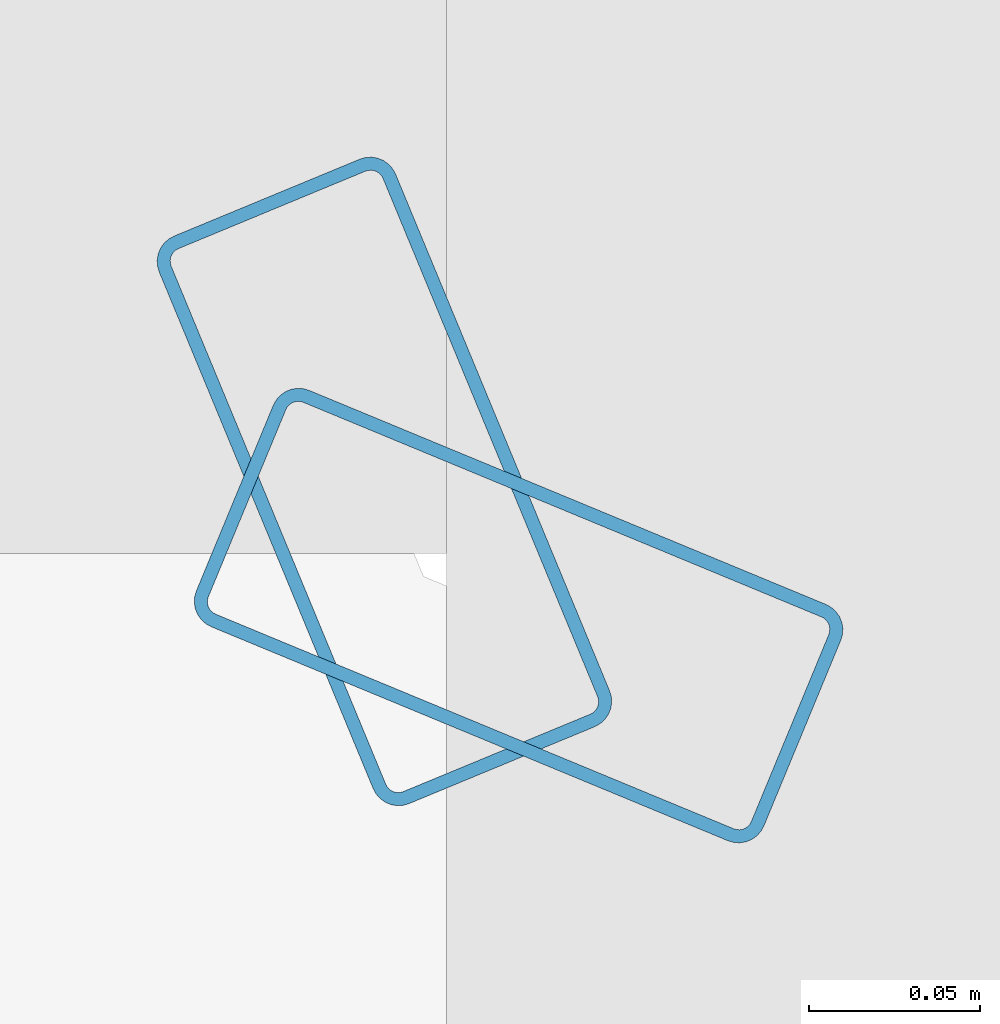
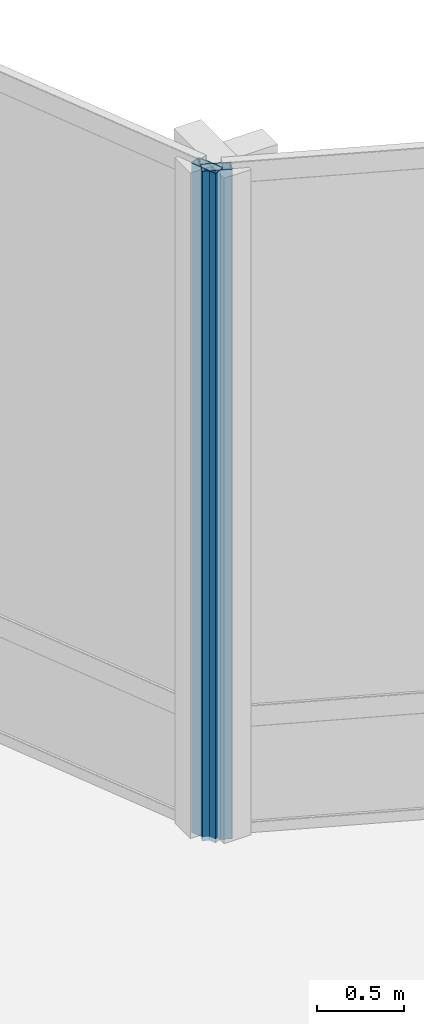
# One storey, part 8 of 28: 2 members, 2 elements without a shape of their own.
"""IFC4 building model written with IfcOpenShell, lengths in metres."""

import ifcopenshell
import ifcopenshell.guid

model = None  # the IFC model being written
_history = None  # IfcOwnerHistory: only IFC2X3 demands one
_inside = {}  # id of a spatial element -> (the spatial element, [elements in it])
_under = {}  # id of a project, library or spatial element -> (it, [spatial elements below it])
_declared = {}  # id of a project -> (the project, [libraries it declares])
_typed = {}  # id of a type object -> (the type object, [elements of that type])
_made_of = {}  # id of a material, layer set ... -> (it, [elements and type objects made of it])


def new_model(schema):
    """Start an empty IFC model of exactly this schema.

    Asked for "IFC4X3", IfcOpenShell would pick the latest addendum, in which some entities
    have other attributes; the version numbers below select the first issue.
    IFC2X3 requires an IfcOwnerHistory on every rooted entity: one is made here for all.
    """
    global model, _history
    if schema == "IFC4X3":
        model = ifcopenshell.file(schema_version=(4, 3, 0, 0))
    else:
        model = ifcopenshell.file(schema=schema)
    _inside.clear()
    _under.clear()
    _declared.clear()
    _typed.clear()
    _made_of.clear()
    _history = None
    if model.schema == "IFC2X3":
        org = make("IfcOrganization", Name="unknown")
        user = make(
            "IfcPersonAndOrganization",
            ThePerson=make("IfcPerson", FamilyName="unknown"),
            TheOrganization=org,
        )
        app = make(
            "IfcApplication",
            ApplicationDeveloper=org,
            Version="unknown",
            ApplicationFullName="unknown",
            ApplicationIdentifier="unknown",
        )
        _history = make(
            "IfcOwnerHistory",
            OwningUser=user,
            OwningApplication=app,
            ChangeAction="ADDED",
            CreationDate=0,
        )
    return model


def make(cls, **values):
    """One entity of the class cls with the attributes given. An attribute that is None is left unset."""
    return model.create_entity(
        cls, **{name: value for name, value in values.items() if value is not None}
    )


def rooted(cls, **values):
    """An entity with a GlobalId (a new one), such as an element, a storey or a relation."""
    return make(cls, GlobalId=ifcopenshell.guid.new(), OwnerHistory=_history, **values)


def si_unit(unit_type, name, prefix=None):
    """IfcSIUnit, for example si_unit("LENGTHUNIT", "METRE", prefix="MILLI")."""
    return make("IfcSIUnit", UnitType=unit_type, Prefix=prefix, Name=name)


def assignment(units):
    """IfcUnitAssignment: the units of a project."""
    return None if units is None else make("IfcUnitAssignment", Units=units)


def point(xyz):
    """IfcCartesianPoint."""
    return None if xyz is None else make("IfcCartesianPoint", Coordinates=xyz)


def direction(xyz):
    """IfcDirection."""
    return None if xyz is None else make("IfcDirection", DirectionRatios=xyz)


def frame(location, z_axis=None, x_axis=None):
    """IfcAxis2Placement3D, a coordinate frame: its origin and axes. An axis left out is left unset."""
    return make(
        "IfcAxis2Placement3D",
        Location=point(location),
        Axis=direction(z_axis),
        RefDirection=direction(x_axis),
    )


def frame_2d(location, x_axis=None):
    """IfcAxis2Placement2D, a coordinate frame in the plane: its origin and x axis."""
    return make(
        "IfcAxis2Placement2D", Location=point(location), RefDirection=direction(x_axis)
    )


def origin():
    """The frame at (0, 0, 0) with its axes left unset."""
    return frame((0.0, 0.0, 0.0))


def origin_2d():
    """The frame at (0, 0) in the plane with its x axis left unset."""
    return frame_2d((0.0, 0.0))


def place(relative_to, where):
    """IfcLocalPlacement: puts the frame where relative to a parent placement (None: the world)."""
    return make(
        "IfcLocalPlacement", PlacementRelTo=relative_to, RelativePlacement=where
    )


def context(
    kind, dimensions, precision=None, world=None, true_north=None, identifier=None
):
    """IfcGeometricRepresentationContext, for example the 3D "Model" context."""
    return make(
        "IfcGeometricRepresentationContext",
        ContextIdentifier=identifier,
        ContextType=kind,
        CoordinateSpaceDimension=dimensions,
        Precision=precision,
        WorldCoordinateSystem=world,
        TrueNorth=true_north,
    )


def subcontext(parent, identifier, kind, view, scale=None):
    """IfcGeometricRepresentationSubContext, for example "Body" below "Model"."""
    return make(
        "IfcGeometricRepresentationSubContext",
        ContextIdentifier=identifier,
        ContextType=kind,
        ParentContext=parent,
        TargetScale=scale,
        TargetView=view,
    )


def project(units=None, contexts=None):
    """IfcProject with its units and contexts."""
    return rooted(
        "IfcProject",
        Name="project",
        RepresentationContexts=contexts,
        UnitsInContext=assignment(units),
    )


def spatial(cls, under=None, at=None, **own):
    """A site, building, storey or space (cls), placed at a placement, below another one or the project."""
    s = rooted(cls, ObjectPlacement=at, **own)
    if under is not None:
        _under.setdefault(under.id(), (under, []))[1].append(s)
    return s


def profile(cls, at=None, kind="AREA", **sizes):
    """A parametric profile (cls). Its sizes go by their IFC names, for example OverallWidth=200.0."""
    return make(cls, ProfileType=kind, Position=at, **sizes)


def hollow_rectangle(**sizes):
    """IfcRectangleHollowProfileDef."""
    return profile("IfcRectangleHollowProfileDef", **sizes)


def extrude(swept, where, along, depth):
    """IfcExtrudedAreaSolid: the profile swept, set in the frame where, extruded along a direction by depth."""
    return make(
        "IfcExtrudedAreaSolid",
        SweptArea=swept,
        Position=where,
        ExtrudedDirection=direction(along),
        Depth=depth,
    )


def shape(context_of_items, identifier, shape_type, items):
    """IfcShapeRepresentation: the items that make up one representation, for example the "Body"."""
    return make(
        "IfcShapeRepresentation",
        ContextOfItems=context_of_items,
        RepresentationIdentifier=identifier,
        RepresentationType=shape_type,
        Items=items,
    )


def material(Name=None, Category=None):
    """IfcMaterial."""
    return make("IfcMaterial", Name=Name, Category=Category)


def layer(
    of_material, thickness, ventilated=None, Name=None, Category=None, Priority=None
):
    """IfcMaterialLayer: one layer of a wall or slab, of a material (None: an air gap)."""
    return make(
        "IfcMaterialLayer",
        Material=of_material,
        LayerThickness=thickness,
        IsVentilated=ventilated,
        Name=Name,
        Category=Category,
        Priority=Priority,
    )


def layer_set(layers, Name=None):
    """IfcMaterialLayerSet."""
    return make("IfcMaterialLayerSet", MaterialLayers=layers, LayerSetName=Name)


def material_profile(
    of_material, cross_section, Name=None, Category=None, Priority=None
):
    """IfcMaterialProfile: a cross section and its material."""
    return make(
        "IfcMaterialProfile",
        Name=Name,
        Material=of_material,
        Profile=cross_section,
        Priority=Priority,
        Category=Category,
    )


def profile_set(profiles, Name=None, composite=None):
    """IfcMaterialProfileSet."""
    return make(
        "IfcMaterialProfileSet",
        Name=Name,
        MaterialProfiles=profiles,
        CompositeProfile=composite,
    )


def made_of(thing, what):
    """Note that an element or type object is made of a material, layer set ...; save() writes the relation."""
    if what is not None:
        _made_of.setdefault(what.id(), (what, []))[1].append(thing)
    return thing


def type_object(cls, material=None, **own):
    """A type object (cls), such as IfcWallType, which elements share."""
    return made_of(rooted(cls, **own), material)


def element(
    cls,
    number,
    at=None,
    inside=None,
    cuts=None,
    type_object=None,
    material=None,
    context=None,
    identifier="Body",
    shape_type=None,
    held_by="IfcProductDefinitionShape",
    body=None,
    shapes=None,
    **own,
):
    """One element of the class cls, such as IfcWall. Its Tag is "e" and its number.

    at: its placement. inside: the storey or other place that contains it. cuts: it is an
    opening in that element (IfcRelVoidsElement). A single representation is given by context,
    identifier, shape_type and body (its items); several are given by shapes. held_by: the class
    of the entity that holds the representations. save() writes the other relations.
    """
    e = rooted(cls, Tag="e%d" % number, ObjectPlacement=at, **own)
    if body is not None:
        shapes = [shape(context, identifier, shape_type, body)]
    if shapes is not None:
        e.Representation = make(held_by, Representations=shapes)
    if inside is not None:
        _inside.setdefault(inside.id(), (inside, []))[1].append(e)
    if cuts is not None:
        rooted(
            "IfcRelVoidsElement", RelatingBuildingElement=cuts, RelatedOpeningElement=e
        )
    if type_object is not None:
        _typed.setdefault(type_object.id(), (type_object, []))[1].append(e)
    return made_of(e, material)


def aggregate(whole, parts):
    """IfcRelAggregates: a whole, such as a stair, and the parts it consists of."""
    return rooted("IfcRelAggregates", RelatingObject=whole, RelatedObjects=parts)


def save(model, path):
    """Write the relations noted so far, then the file.

    IfcRelAggregates (storeys below a building ...), IfcRelContainedInSpatialStructure (elements
    in a storey), IfcRelDefinesByType, IfcRelAssociatesMaterial and IfcRelDeclares: one each for
    every whole, place, type object, material and project.
    """
    for whole, parts in _under.values():
        aggregate(whole, parts)
    for where, things in _inside.values():
        rooted(
            "IfcRelContainedInSpatialStructure",
            RelatedElements=things,
            RelatingStructure=where,
        )
    for kind, things in _typed.values():
        rooted("IfcRelDefinesByType", RelatedObjects=things, RelatingType=kind)
    for what, things in _made_of.values():
        rooted("IfcRelAssociatesMaterial", RelatedObjects=things, RelatingMaterial=what)
    for by, libraries in _declared.values():
        rooted("IfcRelDeclares", RelatingContext=by, RelatedDefinitions=libraries)
    model.write(path)


model = new_model("IFC4")

# Units and contexts
model_context = context("Model", 3, precision=1e-05, world=origin(), true_north=direction((0.0, 1.0)))
body_context = subcontext(model_context, "Body", "Model", "MODEL_VIEW")
ifc_project = project(units=[si_unit("LENGTHUNIT", "METRE"), si_unit("AREAUNIT", "SQUARE_METRE"), si_unit("VOLUMEUNIT", "CUBIC_METRE"), si_unit("PLANEANGLEUNIT", "RADIAN"), si_unit("MASSUNIT", "GRAM", prefix="KILO")], contexts=[model_context])

# Site, building, storey
site_placement = place(None, origin())
site = spatial("IfcSite", under=ifc_project, at=site_placement, CompositionType="ELEMENT")
building_placement = place(site_placement, origin())
building = spatial("IfcBuilding", under=site, at=building_placement, Name="Solvaryn Broadcast Tower", CompositionType="ELEMENT")
storey_placement = place(building_placement, frame((0.0, 0.0, 201.199951171875)))
storey = spatial("IfcBuildingStorey", under=building, at=storey_placement, Name="L50", CompositionType="ELEMENT", Elevation=201.199951171875)

# Curtain wall, member
ifc_material_1 = material(Name="Aluminium and Terracotta Unitised Curtain Wall", Category="masonry")
ifc_layer = layer(ifc_material_1, 0.199951171875)
ifc_layer_set = layer_set([ifc_layer], Name="CW-SYS2-LOWMID")
curtain_wall_type = type_object("IfcCurtainWallType", Name="CW-SYS2-LOWMID", PredefinedType="NOTDEFINED", material=ifc_layer_set)
curtain_wall_1_placement = place(storey_placement, origin())
curtain_wall_1 = element("IfcCurtainWall", 1, at=curtain_wall_1_placement, inside=storey, type_object=curtain_wall_type, Name="L50 Curtain Wall CN1", PredefinedType="NOTDEFINED")
ifc_material_2 = material(Name="Anodised Aluminium 6063-T6", Category="aluminium")
ifc_material_profile = material_profile(ifc_material_2, hollow_rectangle(XDim=0.074951171875, YDim=0.179931640625, WallThickness=0.00390625, InnerFilletRadius=0.00390625, OuterFilletRadius=0.008056640625, at=origin_2d()))
ifc_profile_set = profile_set([ifc_material_profile], Name="Anodised Aluminium 6063-T6")
member_type = type_object("IfcMemberType", Name="CW-MUL-180", PredefinedType="MULLION", material=ifc_profile_set)
member_1_placement = place(storey_placement, frame((30.395751953125, 30.3564453125, 0.0), z_axis=(0.0, 0.0, 1.0), x_axis=(-0.382646127145, -0.923894983957, 0.0)))
member_1 = element("IfcMember", 2, at=member_1_placement, type_object=member_type, Name="CWS2 mullion 2", PredefinedType="MULLION", context=body_context, shape_type="SweptSolid", body=[
    extrude(hollow_rectangle(XDim=0.074951171875, YDim=0.179931640625, WallThickness=0.00390625, InnerFilletRadius=0.00390625, OuterFilletRadius=0.008056640625, at=origin_2d()), origin(), (0.0, 0.0, 1.0), 4.719970703125),
])
aggregate(curtain_wall_1, [member_1])

curtain_wall_2_placement = place(storey_placement, origin())
curtain_wall_2 = element("IfcCurtainWall", 3, at=curtain_wall_2_placement, inside=storey, type_object=curtain_wall_type, Name="L50 Curtain Wall CN2", PredefinedType="NOTDEFINED")
member_2_placement = place(storey_placement, frame((30.3564453125, 30.395751953125, 0.0), z_axis=(0.0, 0.0, 1.0), x_axis=(-0.923894983957, -0.382646127145, 0.0)))
member_2 = element("IfcMember", 4, at=member_2_placement, type_object=member_type, Name="CWS2 mullion 1", PredefinedType="MULLION", context=body_context, shape_type="SweptSolid", body=[
    extrude(hollow_rectangle(XDim=0.074951171875, YDim=0.179931640625, WallThickness=0.00390625, InnerFilletRadius=0.00390625, OuterFilletRadius=0.008056640625, at=origin_2d()), origin(), (0.0, 0.0, 1.0), 4.719970703125),
])
aggregate(curtain_wall_2, [member_2])

save(model, "model.ifc")
